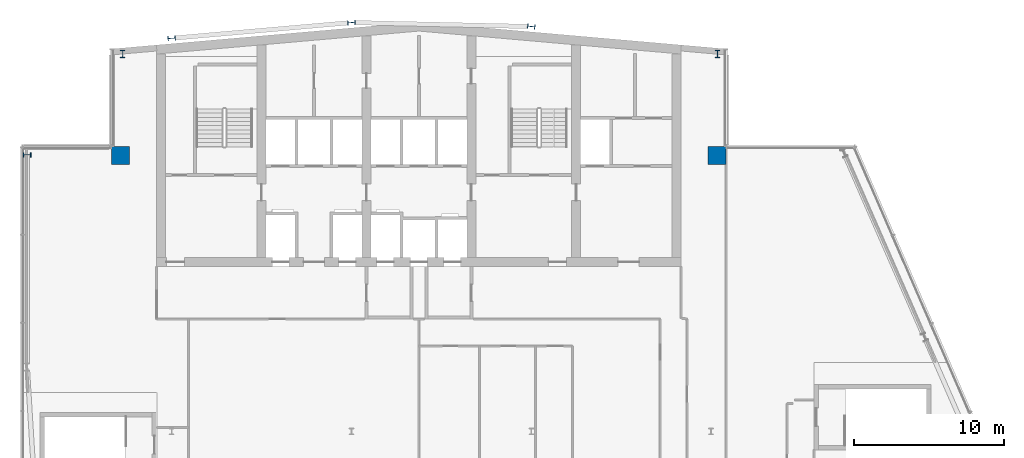
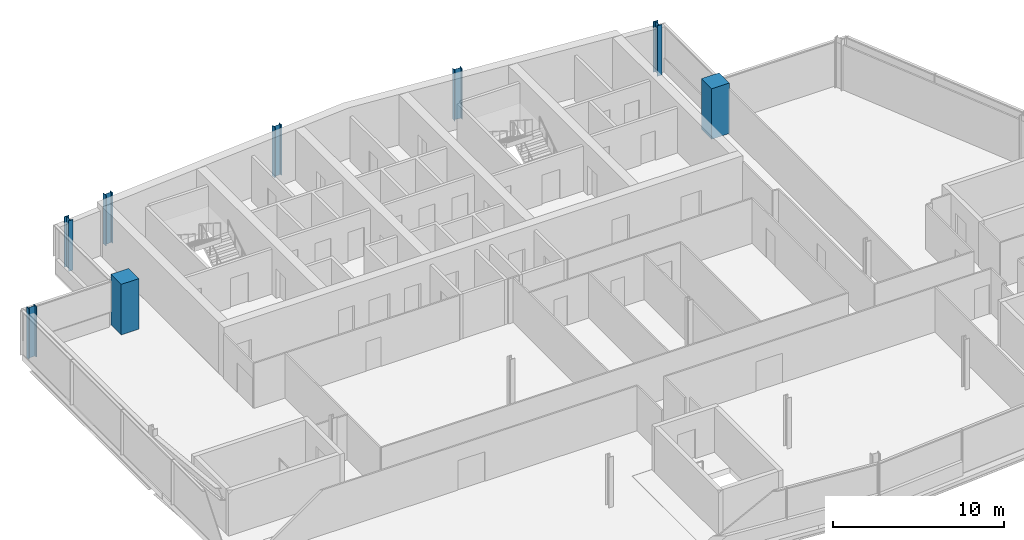
# One storey, part 3 of 19: 8 columns.
"""IFC4 building model written with IfcOpenShell, lengths in metres."""

from ifc_helpers import new_model, si_unit, direction, frame, origin, origin_2d, place, context, subcontext, project, spatial, rectangle, i_section, extrude, material, material_profile, profile_set, type_object, element, save


model = new_model("IFC4")

# Units and contexts
model_context = context("Model", 3, precision=1e-05, world=origin(), true_north=direction((0.0, 1.0)))
body_context = subcontext(model_context, "Body", "Model", "MODEL_VIEW")
ifc_project = project(units=[si_unit("LENGTHUNIT", "METRE"), si_unit("AREAUNIT", "SQUARE_METRE"), si_unit("VOLUMEUNIT", "CUBIC_METRE"), si_unit("PLANEANGLEUNIT", "RADIAN"), si_unit("MASSUNIT", "GRAM", prefix="KILO")], contexts=[model_context])

# Site, building, storey
site_placement = place(None, origin())
site = spatial("IfcSite", under=ifc_project, at=site_placement, CompositionType="ELEMENT")
building_placement = place(site_placement, origin())
building = spatial("IfcBuilding", under=site, at=building_placement, Name="Wharfspan Tower", CompositionType="ELEMENT")
storey_placement = place(building_placement, frame((0.0, 0.0, 257.5)))
storey = spatial("IfcBuildingStorey", under=building, at=storey_placement, Name="L65", CompositionType="ELEMENT", Elevation=257.5)

# Columns
ifc_material_1 = material(Name="Steel S355J2", Category="steel")
ifc_material_profile_1 = material_profile(ifc_material_1, i_section(OverallWidth=0.300049, OverallDepth=0.5, WebThickness=0.014404, FlangeThickness=0.028076, FilletRadius=0.0271, at=origin_2d()))
ifc_profile_set_1 = profile_set([ifc_material_profile_1], Name="Steel S355J2")
column_type_1 = type_object("IfcColumnType", Name="Column HEB 500", PredefinedType="COLUMN", material=ifc_profile_set_1)
for number, where, z_axis, x_axis, name in (
    (1, (24.0, 49.234863, 0.0), (0.0, 0.0, 1.0), (-0.087156, 0.996197, 0.0), "Rear column R.1 L65"),
    (2, (36.0, 50.284668, 0.0), (0.0, 0.0, 1.0), (-0.087156, 0.996197, 0.0), "Rear column R.2 L65"),
    (3, (48.0, 50.022217, 0.0), (0.0, 0.0, 1.0), (0.087156, 0.996197, 0.0), "Rear column R.3 L65"),
):
    element("IfcColumn", number, at=place(storey_placement, frame(where, z_axis=z_axis, x_axis=x_axis)), inside=storey, type_object=column_type_1, Name=name, PredefinedType="COLUMN", context=body_context, shape_type="SweptSolid", body=[
        extrude(i_section(OverallWidth=0.300049, OverallDepth=0.5, WebThickness=0.014404, FlangeThickness=0.028076, FilletRadius=0.0271, at=origin_2d()), origin(), (0.0, 0.0, 1.0), 3.600098),
    ])
ifc_material_profile_2 = material_profile(ifc_material_1, i_section(OverallWidth=0.305908, OverallDepth=0.523926, WebThickness=0.020996, FlangeThickness=0.040039, FilletRadius=0.0271, at=origin_2d()))
ifc_profile_set_2 = profile_set([ifc_material_profile_2], Name="Steel S355J2")
column_type_2 = type_object("IfcColumnType", Name="Column HEM 500", PredefinedType="COLUMN", material=ifc_profile_set_2)
for number, where, z_axis, x_axis, name in (
    (4, (60.422119, 48.189453, 0.0), (0.0, 0.0, 1.0), (1.0, 0.0, 0.0), "Perimeter column PNRE-V.1 L65"),
    (5, (20.731201, 48.189941, 0.0), (0.0, 0.0, 1.0), (-1.0, 0.0, 0.0), "Perimeter column PNRW-V.1 L65"),
    (6, (14.356934, 41.459717, 0.0), (0.0, 0.0, 1.0), (0.0, 1.0, 0.0), "Perimeter column PNRW-H.1 L65"),
):
    element("IfcColumn", number, at=place(storey_placement, frame(where, z_axis=z_axis, x_axis=x_axis)), inside=storey, type_object=column_type_2, Name=name, PredefinedType="COLUMN", context=body_context, shape_type="SweptSolid", body=[
        extrude(i_section(OverallWidth=0.305908, OverallDepth=0.523926, WebThickness=0.020996, FlangeThickness=0.040039, FilletRadius=0.0271, at=origin_2d()), origin(), (0.0, 0.0, 1.0), 3.600098),
    ])
ifc_material_2 = material(Name="Concrete C50/60", Category="concrete")
ifc_material_profile_3 = material_profile(ifc_material_2, rectangle(XDim=1.199951, YDim=1.199951, at=origin_2d()))
ifc_profile_set_3 = profile_set([ifc_material_profile_3], Name="Concrete C50/60")
column_type_3 = type_object("IfcColumnType", Name="Mega column 1200 C50/60", PredefinedType="COLUMN", material=ifc_profile_set_3)
for number, where, z_axis, x_axis, name in (
    (7, (20.600098, 41.399902, 0.0), (0.0, 0.0, 1.0), (1.0, 0.0, 0.0), "Mega column MC2 L65"),
    (8, (60.399902, 41.399902, 0.0), (0.0, 0.0, 1.0), (1.0, 0.0, 0.0), "Mega column MC3 L65"),
):
    element("IfcColumn", number, at=place(storey_placement, frame(where, z_axis=z_axis, x_axis=x_axis)), inside=storey, type_object=column_type_3, Name=name, PredefinedType="COLUMN", context=body_context, shape_type="SweptSolid", body=[
        extrude(rectangle(XDim=1.199951, YDim=1.199951, at=origin_2d()), origin(), (0.0, 0.0, 1.0), 3.600098),
    ])

save(model, "model.ifc")
